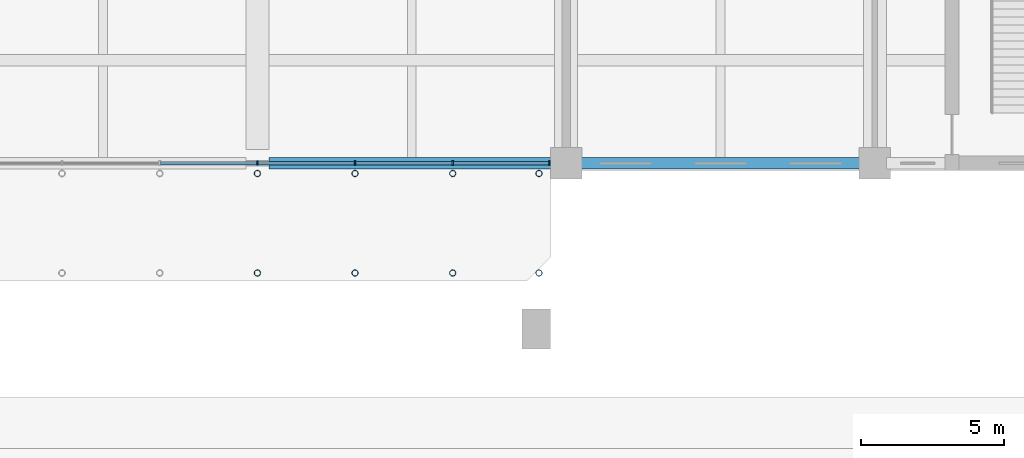
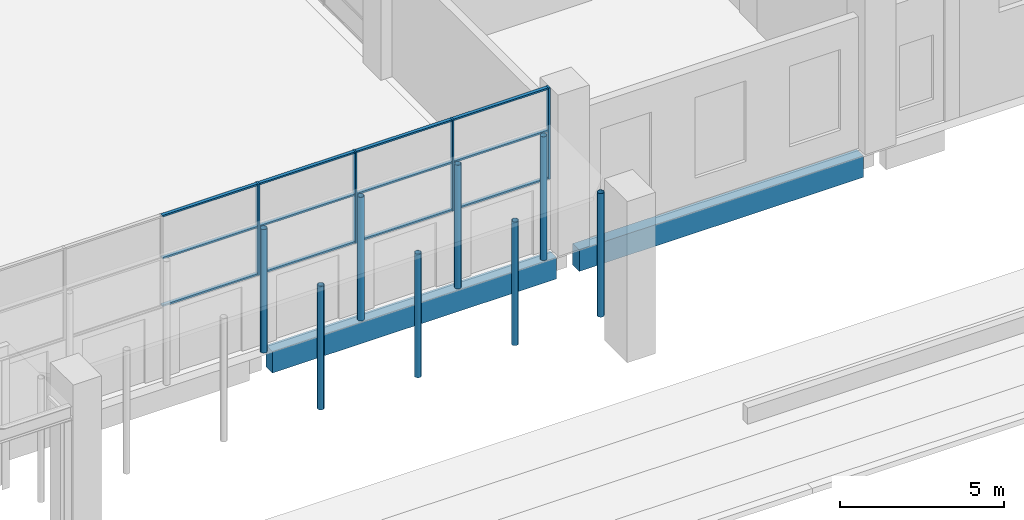
# One storey, part 26 of 71: 24 members, 2 beams, 1 element without a shape of its own.
"""IFC4 building model written with IfcOpenShell, lengths in metres."""

from ifc_helpers import new_model, si_unit, direction, frame, origin, origin_2d, place, context, subcontext, project, spatial, rectangle, hollow_circle, extrude, material, layer, layer_set, material_profile, profile_set, type_object, element, aggregate, save


model = new_model("IFC4")

# Units and contexts
model_context = context("Model", 3, precision=1e-05, world=origin(), true_north=direction((0.0, 1.0)))
body_context = subcontext(model_context, "Body", "Model", "MODEL_VIEW")
ifc_project = project(units=[si_unit("LENGTHUNIT", "METRE"), si_unit("AREAUNIT", "SQUARE_METRE"), si_unit("VOLUMEUNIT", "CUBIC_METRE"), si_unit("PLANEANGLEUNIT", "RADIAN"), si_unit("MASSUNIT", "GRAM", prefix="KILO")], contexts=[model_context])

# Site, building, storey
site_placement = place(None, origin())
site = spatial("IfcSite", under=ifc_project, at=site_placement, CompositionType="ELEMENT")
building_placement = place(site_placement, origin())
building = spatial("IfcBuilding", under=site, at=building_placement, Name="Basin Gate Institute", CompositionType="ELEMENT")
storey_placement = place(building_placement, origin())
storey = spatial("IfcBuildingStorey", under=building, at=storey_placement, Name="L00", CompositionType="ELEMENT", Elevation=0.0)

# Curtain wall, members
ifc_material_1 = material(Name="Aluminium and glass curtain wall", Category="aluminium")
ifc_layer = layer(ifc_material_1, 0.14990234375)
ifc_layer_set = layer_set([ifc_layer], Name="Atrium curtain wall CW81")
curtain_wall_type = type_object("IfcCurtainWallType", Name="Atrium curtain wall CW81", PredefinedType="NOTDEFINED", material=ifc_layer_set)
curtain_wall_placement = place(storey_placement, origin())
curtain_wall = element("IfcCurtainWall", 1, at=curtain_wall_placement, inside=storey, type_object=curtain_wall_type, material=ifc_layer_set, Name="Atrium end screen S L00", PredefinedType="NOTDEFINED")
ifc_material_2 = material(Name="Aluminium mullion", Category="aluminium")
ifc_material_profile_1 = material_profile(ifc_material_2, rectangle(XDim=0.159912109375, YDim=0.06005859375, at=origin_2d()), Name="Atrium mullion MU81 160 x 60")
ifc_profile_set_1 = profile_set([ifc_material_profile_1], Name="Aluminium mullion")
member_type_1 = type_object("IfcMemberType", Name="Atrium mullion MU81", PredefinedType="MULLION", material=ifc_profile_set_1)
member_1_placement = place(storey_placement, frame((90.0, 35.10009765625, 2.60009765625), z_axis=(0.0, 0.0, 1.0), x_axis=(0.0, 1.0, 0.0)))
member_1 = element("IfcMember", 2, at=member_1_placement, type_object=member_type_1, material=ifc_profile_set_1, Name="CW81 mullion 4", PredefinedType="MULLION", context=body_context, shape_type="SweptSolid", body=[
    extrude(rectangle(XDim=0.159912109375, YDim=0.06005859375, at=origin_2d()), origin(), (0.0, 0.0, 1.0), 3.39990234375),
])
member_2_placement = place(storey_placement, frame((93.416748046875, 35.10009765625, 2.60009765625), z_axis=(0.0, 0.0, 1.0), x_axis=(0.0, 1.0, 0.0)))
member_2 = element("IfcMember", 3, at=member_2_placement, type_object=member_type_1, material=ifc_profile_set_1, Name="CW81 mullion 5", PredefinedType="MULLION", context=body_context, shape_type="SweptSolid", body=[
    extrude(rectangle(XDim=0.159912109375, YDim=0.06005859375, at=origin_2d()), origin(), (0.0, 0.0, 1.0), 3.39990234375),
])
member_3_placement = place(storey_placement, frame((96.833251953125, 35.10009765625, 2.60009765625), z_axis=(0.0, 0.0, 1.0), x_axis=(0.0, 1.0, 0.0)))
member_3 = element("IfcMember", 4, at=member_3_placement, type_object=member_type_1, material=ifc_profile_set_1, Name="CW81 mullion 6", PredefinedType="MULLION", context=body_context, shape_type="SweptSolid", body=[
    extrude(rectangle(XDim=0.159912109375, YDim=0.06005859375, at=origin_2d()), origin(), (0.0, 0.0, 1.0), 3.39990234375),
])
member_4_placement = place(storey_placement, frame((100.219970703125, 35.10009765625, 2.60009765625), z_axis=(0.0, 0.0, 1.0), x_axis=(0.0, 1.0, 0.0)))
member_4 = element("IfcMember", 5, at=member_4_placement, type_object=member_type_1, material=ifc_profile_set_1, Name="CW81 mullion 7", PredefinedType="MULLION", context=body_context, shape_type="SweptSolid", body=[
    extrude(rectangle(XDim=0.159912109375, YDim=0.06005859375, at=origin_2d()), origin(), (0.0, 0.0, 1.0), 3.39990234375),
])
ifc_material_3 = material(Name="Aluminium transom", Category="aluminium")
ifc_material_profile_2 = material_profile(ifc_material_3, rectangle(XDim=0.1201171875, YDim=0.06005859375, at=origin_2d()), Name="Atrium transom TR81 120 x 60")
ifc_profile_set_2 = profile_set([ifc_material_profile_2], Name="Aluminium transom")
member_type_2 = type_object("IfcMemberType", Name="Atrium transom TR81", PredefinedType="USERDEFINED", material=ifc_profile_set_2)
member_5_placement = place(storey_placement, frame((86.61328125, 35.10009765625, 2.6298828125), z_axis=(1.0, 0.0, 0.0), x_axis=(0.0, 1.0, 0.0)))
member_5 = element("IfcMember", 6, at=member_5_placement, type_object=member_type_2, material=ifc_profile_set_2, Name="CW81 transom 3.1", ObjectType="TRANSOM", PredefinedType="USERDEFINED", context=body_context, shape_type="SweptSolid", body=[
    extrude(rectangle(XDim=0.1201171875, YDim=0.06005859375, at=origin_2d()), origin(), (0.0, 0.0, 1.0), 3.356689453125),
])
member_6_placement = place(storey_placement, frame((86.61328125, 35.10009765625, 4.39990234375), z_axis=(1.0, 0.0, 0.0), x_axis=(0.0, 1.0, 0.0)))
member_6 = element("IfcMember", 7, at=member_6_placement, type_object=member_type_2, material=ifc_profile_set_2, Name="CW81 transom 3.2", ObjectType="TRANSOM", PredefinedType="USERDEFINED", context=body_context, shape_type="SweptSolid", body=[
    extrude(rectangle(XDim=0.1201171875, YDim=0.06005859375, at=origin_2d()), origin(), (0.0, 0.0, 1.0), 3.356689453125),
])
member_7_placement = place(storey_placement, frame((86.61328125, 35.10009765625, 5.969970703125), z_axis=(1.0, 0.0, 0.0), x_axis=(0.0, 1.0, 0.0)))
member_7 = element("IfcMember", 8, at=member_7_placement, type_object=member_type_2, material=ifc_profile_set_2, Name="CW81 transom 3.3", ObjectType="TRANSOM", PredefinedType="USERDEFINED", context=body_context, shape_type="SweptSolid", body=[
    extrude(rectangle(XDim=0.1201171875, YDim=0.06005859375, at=origin_2d()), origin(), (0.0, 0.0, 1.0), 3.356689453125),
])
member_8_placement = place(storey_placement, frame((90.030029296875, 35.10009765625, 2.6298828125), z_axis=(1.0, 0.0, 0.0), x_axis=(0.0, 1.0, 0.0)))
member_8 = element("IfcMember", 9, at=member_8_placement, type_object=member_type_2, material=ifc_profile_set_2, Name="CW81 transom 4.1", ObjectType="TRANSOM", PredefinedType="USERDEFINED", context=body_context, shape_type="SweptSolid", body=[
    extrude(rectangle(XDim=0.1201171875, YDim=0.06005859375, at=origin_2d()), origin(), (0.0, 0.0, 1.0), 3.356689453125),
])
member_9_placement = place(storey_placement, frame((90.030029296875, 35.10009765625, 4.39990234375), z_axis=(1.0, 0.0, 0.0), x_axis=(0.0, 1.0, 0.0)))
member_9 = element("IfcMember", 10, at=member_9_placement, type_object=member_type_2, material=ifc_profile_set_2, Name="CW81 transom 4.2", ObjectType="TRANSOM", PredefinedType="USERDEFINED", context=body_context, shape_type="SweptSolid", body=[
    extrude(rectangle(XDim=0.1201171875, YDim=0.06005859375, at=origin_2d()), origin(), (0.0, 0.0, 1.0), 3.356689453125),
])
member_10_placement = place(storey_placement, frame((90.030029296875, 35.10009765625, 5.969970703125), z_axis=(1.0, 0.0, 0.0), x_axis=(0.0, 1.0, 0.0)))
member_10 = element("IfcMember", 11, at=member_10_placement, type_object=member_type_2, material=ifc_profile_set_2, Name="CW81 transom 4.3", ObjectType="TRANSOM", PredefinedType="USERDEFINED", context=body_context, shape_type="SweptSolid", body=[
    extrude(rectangle(XDim=0.1201171875, YDim=0.06005859375, at=origin_2d()), origin(), (0.0, 0.0, 1.0), 3.356689453125),
])
member_11_placement = place(storey_placement, frame((93.44677734375, 35.10009765625, 2.6298828125), z_axis=(1.0, 0.0, 0.0), x_axis=(0.0, 1.0, 0.0)))
member_11 = element("IfcMember", 12, at=member_11_placement, type_object=member_type_2, material=ifc_profile_set_2, Name="CW81 transom 5.1", ObjectType="TRANSOM", PredefinedType="USERDEFINED", context=body_context, shape_type="SweptSolid", body=[
    extrude(rectangle(XDim=0.1201171875, YDim=0.06005859375, at=origin_2d()), origin(), (0.0, 0.0, 1.0), 3.3564453125),
])
member_12_placement = place(storey_placement, frame((93.44677734375, 35.10009765625, 4.39990234375), z_axis=(1.0, 0.0, 0.0), x_axis=(0.0, 1.0, 0.0)))
member_12 = element("IfcMember", 13, at=member_12_placement, type_object=member_type_2, material=ifc_profile_set_2, Name="CW81 transom 5.2", ObjectType="TRANSOM", PredefinedType="USERDEFINED", context=body_context, shape_type="SweptSolid", body=[
    extrude(rectangle(XDim=0.1201171875, YDim=0.06005859375, at=origin_2d()), origin(), (0.0, 0.0, 1.0), 3.3564453125),
])
member_13_placement = place(storey_placement, frame((93.44677734375, 35.10009765625, 5.969970703125), z_axis=(1.0, 0.0, 0.0), x_axis=(0.0, 1.0, 0.0)))
member_13 = element("IfcMember", 14, at=member_13_placement, type_object=member_type_2, material=ifc_profile_set_2, Name="CW81 transom 5.3", ObjectType="TRANSOM", PredefinedType="USERDEFINED", context=body_context, shape_type="SweptSolid", body=[
    extrude(rectangle(XDim=0.1201171875, YDim=0.06005859375, at=origin_2d()), origin(), (0.0, 0.0, 1.0), 3.3564453125),
])
member_14_placement = place(storey_placement, frame((96.86328125, 35.10009765625, 2.6298828125), z_axis=(1.0, 0.0, 0.0), x_axis=(0.0, 1.0, 0.0)))
member_14 = element("IfcMember", 15, at=member_14_placement, type_object=member_type_2, material=ifc_profile_set_2, Name="CW81 transom 6.1", ObjectType="TRANSOM", PredefinedType="USERDEFINED", context=body_context, shape_type="SweptSolid", body=[
    extrude(rectangle(XDim=0.1201171875, YDim=0.06005859375, at=origin_2d()), origin(), (0.0, 0.0, 1.0), 3.32666015625),
])
member_15_placement = place(storey_placement, frame((96.86328125, 35.10009765625, 4.39990234375), z_axis=(1.0, 0.0, 0.0), x_axis=(0.0, 1.0, 0.0)))
member_15 = element("IfcMember", 16, at=member_15_placement, type_object=member_type_2, material=ifc_profile_set_2, Name="CW81 transom 6.2", ObjectType="TRANSOM", PredefinedType="USERDEFINED", context=body_context, shape_type="SweptSolid", body=[
    extrude(rectangle(XDim=0.1201171875, YDim=0.06005859375, at=origin_2d()), origin(), (0.0, 0.0, 1.0), 3.32666015625),
])
member_16_placement = place(storey_placement, frame((96.86328125, 35.10009765625, 5.969970703125), z_axis=(1.0, 0.0, 0.0), x_axis=(0.0, 1.0, 0.0)))
member_16 = element("IfcMember", 17, at=member_16_placement, type_object=member_type_2, material=ifc_profile_set_2, Name="CW81 transom 6.3", ObjectType="TRANSOM", PredefinedType="USERDEFINED", context=body_context, shape_type="SweptSolid", body=[
    extrude(rectangle(XDim=0.1201171875, YDim=0.06005859375, at=origin_2d()), origin(), (0.0, 0.0, 1.0), 3.32666015625),
])
aggregate(curtain_wall, [member_1, member_2, member_3, member_4, member_5, member_6, member_7, member_8, member_9, member_10, member_11, member_12, member_13, member_14, member_15, member_16])

# Beams
ifc_material_4 = material(Name="Concrete 40 MPa", Category="concrete")
ifc_material_profile_3 = material_profile(ifc_material_4, rectangle(XDim=0.39990234375, YDim=0.800048828125, at=origin_2d()), Name="Beam B2 400 x 800")
ifc_profile_set_3 = profile_set([ifc_material_profile_3], Name="Concrete 40 MPa")
beam_type = type_object("IfcBeamType", Name="Beam B2 R180", PredefinedType="BEAM", material=ifc_profile_set_3)
for number, where, z_axis, x_axis, name in (
    (18, (111.199951171875, 35.10009765625, -0.699951171875), (-1.0, 0.0, 0.0), (0.0, -1.0, 0.0), "BEAM/L00/E/EW/01"),
    (19, (90.39990234375, 35.10009765625, -0.699951171875), (1.0, 0.0, 0.0), (0.0, 1.0, 0.0), "BEAM/L00/CAN/E/01"),
):
    element("IfcBeam", number, at=place(storey_placement, frame(where, z_axis=z_axis, x_axis=x_axis)), inside=storey, type_object=beam_type, material=ifc_profile_set_3, Name=name, PredefinedType="BEAM", context=body_context, shape_type="SweptSolid", body=[
        extrude(rectangle(XDim=0.39990234375, YDim=0.800048828125, at=origin_2d()), origin(), (0.0, 0.0, 1.0), 10.0),
    ])

# Members
ifc_material_5 = material(Name="Structural steel SN490", Category="steel")
ifc_material_profile_4 = material_profile(ifc_material_5, hollow_circle(Radius=0.109619140625, WallThickness=0.008056640625, at=origin_2d()), Name="CHS219x8")
ifc_profile_set_4 = profile_set([ifc_material_profile_4], Name="Structural steel SN490")
member_type_3 = type_object("IfcMemberType", Name="Canopy post TD3", PredefinedType="POST", material=ifc_profile_set_4)
for number, where, z_axis, x_axis, name in (
    (20, (90.0, 34.740478515625, -0.050048828125), (0.0, 0.0, 1.0), (1.0, 0.0, 0.0), "Canopy post south 4"),
    (21, (93.416748046875, 34.740478515625, -0.050048828125), (0.0, 0.0, 1.0), (1.0, 0.0, 0.0), "Canopy post south 5"),
    (22, (96.833251953125, 34.740478515625, -0.050048828125), (0.0, 0.0, 1.0), (1.0, 0.0, 0.0), "Canopy post south 6"),
    (23, (99.85009765625, 34.740478515625, -0.050048828125), (0.0, 0.0, 1.0), (1.0, 0.0, 0.0), "Canopy post south 7"),
    (24, (90.0, 31.259521484375, -0.050048828125), (0.0, 0.0, 1.0), (1.0, 0.0, 0.0), "Canopy post south 11"),
    (25, (93.416748046875, 31.259521484375, -0.050048828125), (0.0, 0.0, 1.0), (1.0, 0.0, 0.0), "Canopy post south 12"),
    (26, (96.833251953125, 31.259521484375, -0.050048828125), (0.0, 0.0, 1.0), (1.0, 0.0, 0.0), "Canopy post south 13"),
    (27, (99.85009765625, 31.259521484375, -0.050048828125), (0.0, 0.0, 1.0), (1.0, 0.0, 0.0), "Canopy post south 14"),
):
    element("IfcMember", number, at=place(storey_placement, frame(where, z_axis=z_axis, x_axis=x_axis)), inside=storey, type_object=member_type_3, material=ifc_profile_set_4, Name=name, PredefinedType="POST", context=body_context, shape_type="SweptSolid", body=[
        extrude(hollow_circle(Radius=0.109619140625, WallThickness=0.008056640625, at=origin_2d()), origin(), (0.0, 0.0, 1.0), 4.60009765625),
    ])

save(model, "model.ifc")
